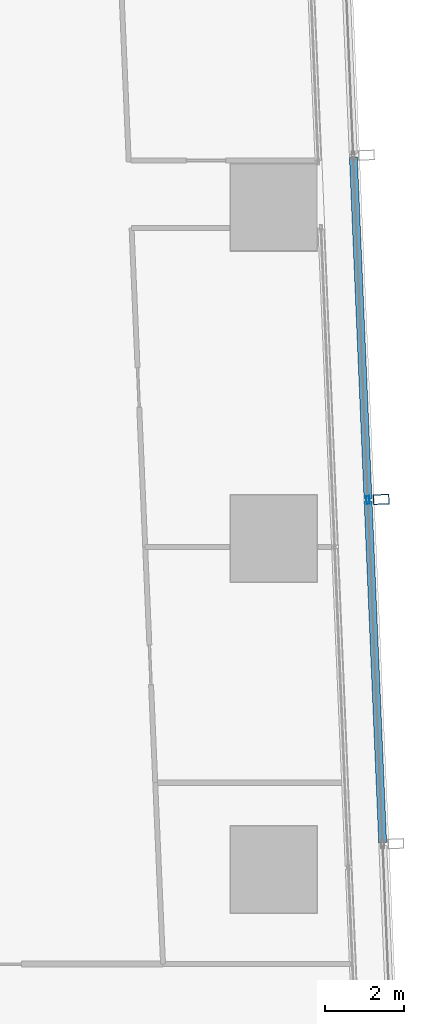
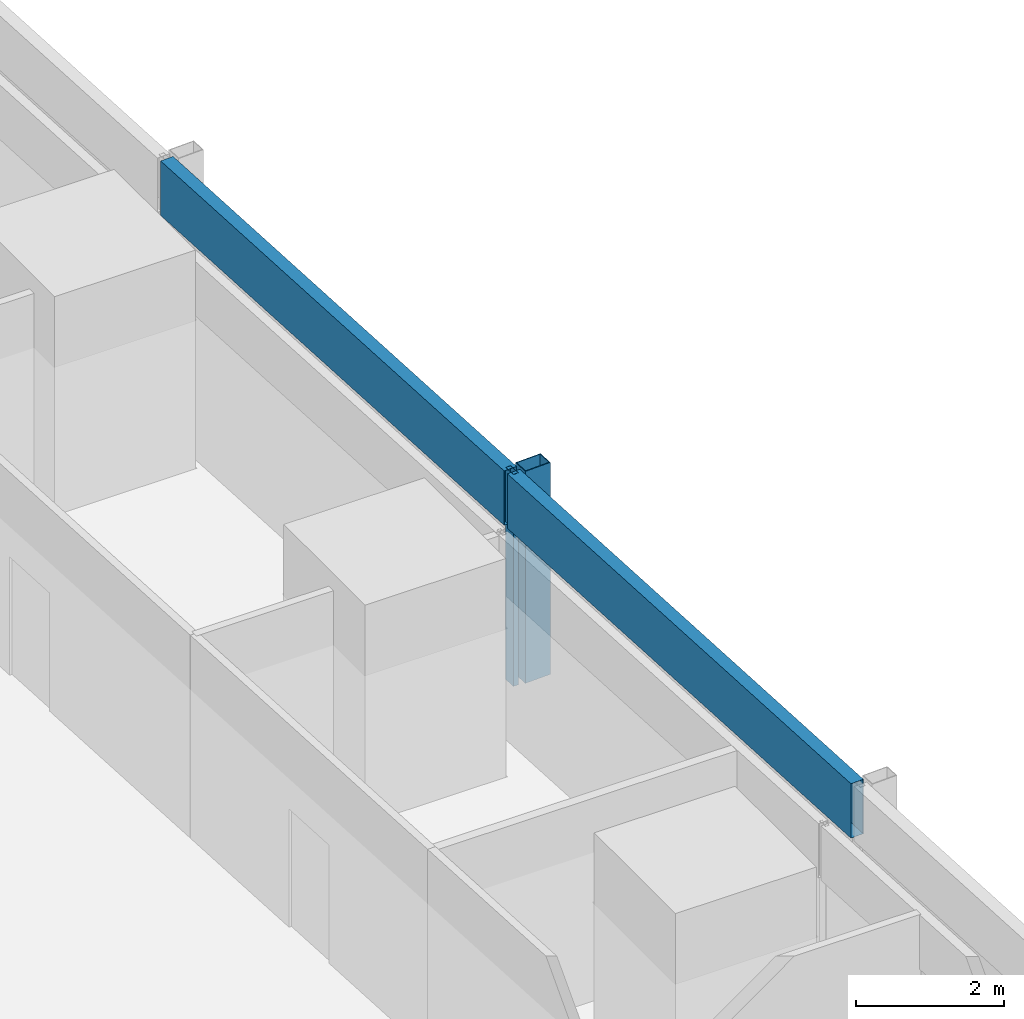
# One storey, part 28 of 44: 4 members, 1 element without a shape of its own.
"""IFC4 building model written with IfcOpenShell, lengths in metres."""

from ifc_helpers import new_model, si_unit, direction, frame, origin, origin_2d, place, context, subcontext, project, spatial, hollow_rectangle, extrude, material, material_profile, profile_set, type_object, element, aggregate, save


model = new_model("IFC4")

# Units and contexts
model_context = context("Model", 3, precision=1e-05, world=origin(), true_north=direction((0.0, 1.0)))
body_context = subcontext(model_context, "Body", "Model", "MODEL_VIEW")
ifc_project = project(units=[si_unit("LENGTHUNIT", "METRE"), si_unit("AREAUNIT", "SQUARE_METRE"), si_unit("VOLUMEUNIT", "CUBIC_METRE"), si_unit("PLANEANGLEUNIT", "RADIAN"), si_unit("MASSUNIT", "GRAM", prefix="KILO")], contexts=[model_context])

# Site, building, storey
site_placement = place(None, origin())
site = spatial("IfcSite", under=ifc_project, at=site_placement, CompositionType="ELEMENT")
building_placement = place(site_placement, origin())
building = spatial("IfcBuilding", under=site, at=building_placement, Name="Rekha Terrace Tower", CompositionType="ELEMENT")
storey_placement = place(building_placement, frame((0.0, 0.0, 51.64990234375)))
storey = spatial("IfcBuildingStorey", under=building, at=storey_placement, Name="L12", CompositionType="ELEMENT", Elevation=51.64990234375)

# Curtain wall, members
ifc_material_1 = material(Name="Aluminium framing", Category="aluminium")
curtain_wall_type = type_object("IfcCurtainWallType", Name="CW2 double skin outer glazing", PredefinedType="USERDEFINED", material=ifc_material_1)
curtain_wall_placement = place(storey_placement, origin())
curtain_wall = element("IfcCurtainWall", 1, at=curtain_wall_placement, inside=storey, type_object=curtain_wall_type, Name="CW2 double skin outer glazing", ObjectType="DOUBLE SKIN OUTER GLAZING", PredefinedType="USERDEFINED")
ifc_material_2 = material(Name="Steel S355 with fluorocarbon finish", Category="steel")
ifc_material_profile_1 = material_profile(ifc_material_2, hollow_rectangle(XDim=0.25, YDim=0.39990234375, WallThickness=0.012451171875, at=origin_2d()), Name="RHS400x250x12.5")
ifc_profile_set_1 = profile_set([ifc_material_profile_1], Name="Steel S355 with fluorocarbon finish")
member_type_1 = type_object("IfcMemberType", Name="BL1 facade blade RHS 400 x 250", PredefinedType="USERDEFINED", material=ifc_profile_set_1)
member_1_placement = place(storey_placement, frame((69.927734375, 42.989013671875, 0.0), z_axis=(0.0, 0.0, 1.0), x_axis=(-0.04269522475, 0.99908814315, 0.0)))
member_1 = element("IfcMember", 2, at=member_1_placement, type_object=member_type_1, Name="Facade blade", ObjectType="FACADE BLADE", PredefinedType="USERDEFINED", context=body_context, shape_type="SweptSolid", body=[
    extrude(hollow_rectangle(XDim=0.25, YDim=0.39990234375, WallThickness=0.012451171875, at=origin_2d()), origin(), (0.0, 0.0, 1.0), 3.5),
])
ifc_material_3 = material(Name="Aluminium mullion section", Category="aluminium")
ifc_material_profile_2 = material_profile(ifc_material_3, hollow_rectangle(XDim=0.080078125, YDim=0.199951171875, WallThickness=0.00390625, at=origin_2d()), Name="AL RHS 80x200")
ifc_profile_set_2 = profile_set([ifc_material_profile_2], Name="Aluminium mullion section")
member_type_2 = type_object("IfcMemberType", Name="CW2 mullion RHS 80 x 200", PredefinedType="MULLION", material=ifc_profile_set_2)
member_2_placement = place(storey_placement, frame((69.593017578125, 42.974609375, 0.0), z_axis=(0.0, 0.0, 1.0), x_axis=(-0.999088106903, -0.042696072956, 0.0)))
member_2 = element("IfcMember", 3, at=member_2_placement, type_object=member_type_2, Name="CW2 mullion 3", PredefinedType="MULLION", context=body_context, shape_type="SweptSolid", body=[
    extrude(hollow_rectangle(XDim=0.080078125, YDim=0.199951171875, WallThickness=0.00390625, at=origin_2d()), origin(), (0.0, 0.0, 1.0), 3.5),
])
ifc_material_4 = material(Name="Insulated aluminium spandrel box", Category="aluminium")
ifc_material_profile_3 = material_profile(ifc_material_4, hollow_rectangle(XDim=0.199951171875, YDim=0.89990234375, WallThickness=0.0029296875, at=origin_2d()), Name="AL SPANDREL BOX 200x900")
ifc_profile_set_3 = profile_set([ifc_material_profile_3], Name="Insulated aluminium spandrel box")
member_type_3 = type_object("IfcMemberType", Name="CW2 spandrel transom 200 x 900", PredefinedType="USERDEFINED", material=ifc_profile_set_3)
member_3_placement = place(storey_placement, frame((69.964599609375, 34.27880859375, 3.050048828125), z_axis=(-0.042692466729, 0.999088261008, 0.0), x_axis=(-0.999088261008, -0.042692466729, 0.0)))
member_3 = element("IfcMember", 4, at=member_3_placement, type_object=member_type_3, Name="CW2 spandrel transom 2", ObjectType="TRANSOM", PredefinedType="USERDEFINED", context=body_context, shape_type="SweptSolid", body=[
    extrude(hollow_rectangle(XDim=0.199951171875, YDim=0.89990234375, WallThickness=0.0029296875, at=origin_2d()), origin(), (0.0, 0.0, 1.0), 8.66357421875),
])
member_4_placement = place(storey_placement, frame((69.59130859375, 43.014404296875, 3.050048828125), z_axis=(-0.042691264793, 0.999088312368, 0.0), x_axis=(-0.999088312368, -0.042691264793, 0.0)))
member_4 = element("IfcMember", 5, at=member_4_placement, type_object=member_type_3, Name="CW2 spandrel transom 3", ObjectType="TRANSOM", PredefinedType="USERDEFINED", context=body_context, shape_type="SweptSolid", body=[
    extrude(hollow_rectangle(XDim=0.199951171875, YDim=0.89990234375, WallThickness=0.0029296875, at=origin_2d()), origin(), (0.0, 0.0, 1.0), 8.663818359375),
])
aggregate(curtain_wall, [member_2, member_3, member_4, member_1])

save(model, "model.ifc")
